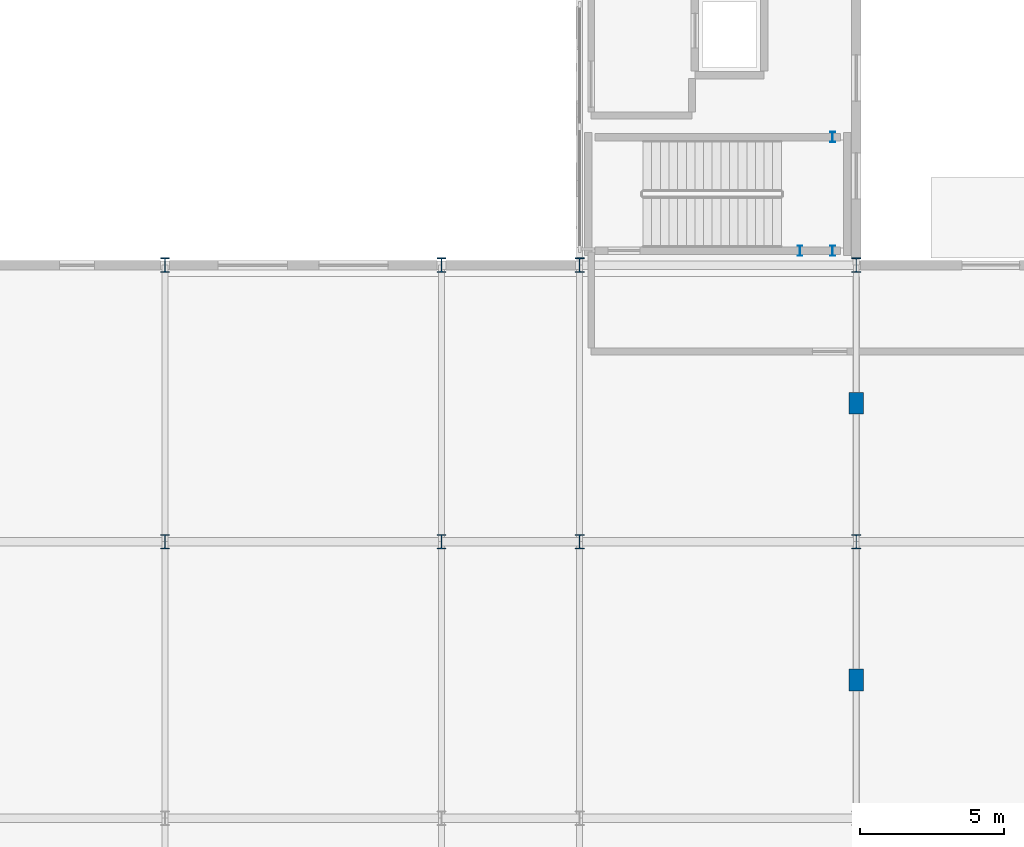
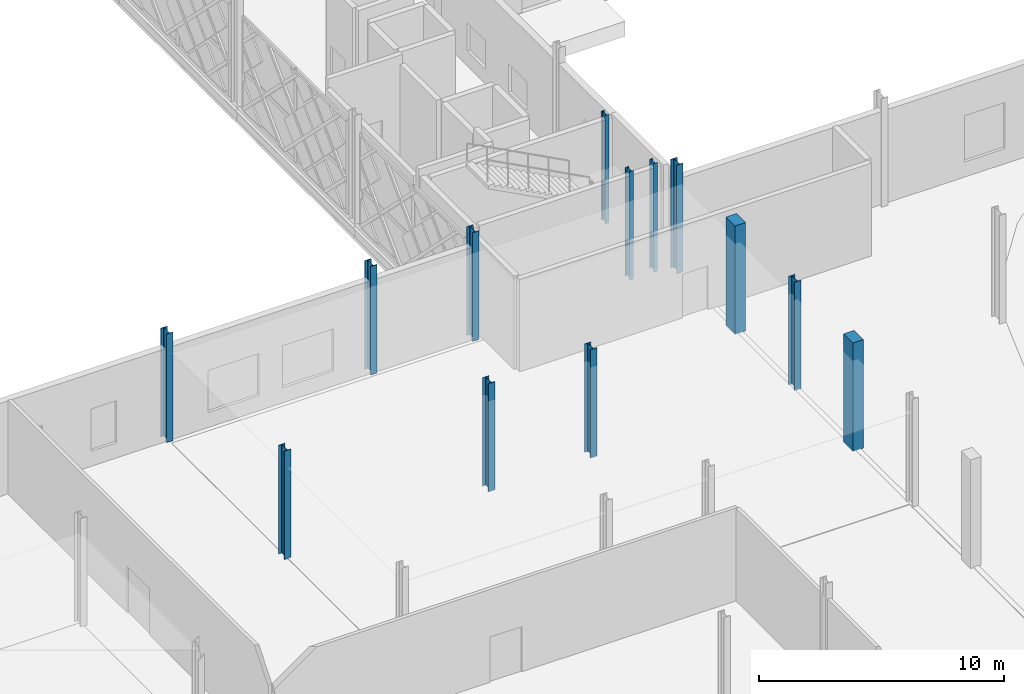
# One storey, part 9 of 84: 13 columns.
"""IFC4 building model written with IfcOpenShell, lengths in metres."""

from ifc_helpers import new_model, si_unit, direction, frame, origin, origin_2d, place, context, subcontext, project, spatial, rectangle, i_section, extrude, material, material_profile, profile_set, type_object, element, save


model = new_model("IFC4")

# Units and contexts
model_context = context("Model", 3, precision=1e-05, world=origin(), true_north=direction((0.0, 1.0)))
body_context = subcontext(model_context, "Body", "Model", "MODEL_VIEW")
ifc_project = project(units=[si_unit("LENGTHUNIT", "METRE"), si_unit("AREAUNIT", "SQUARE_METRE"), si_unit("VOLUMEUNIT", "CUBIC_METRE"), si_unit("PLANEANGLEUNIT", "RADIAN"), si_unit("MASSUNIT", "GRAM", prefix="KILO")], contexts=[model_context])

# Site, building, storey
site_placement = place(None, origin())
site = spatial("IfcSite", under=ifc_project, at=site_placement, CompositionType="ELEMENT")
building_placement = place(site_placement, origin())
building = spatial("IfcBuilding", under=site, at=building_placement, Name="Zevrakil Square Congress Hotel", CompositionType="ELEMENT")
storey_placement = place(building_placement, origin())
storey = spatial("IfcBuildingStorey", under=building, at=storey_placement, Name="L01", CompositionType="ELEMENT", Elevation=0.0)

# Columns
ifc_material_1 = material(Name="Steel S355", Category="steel")
ifc_material_profile_1 = material_profile(ifc_material_1, i_section(OverallWidth=0.300048828125, OverallDepth=0.5, WebThickness=0.014404296875, FlangeThickness=0.028076171875, FilletRadius=0.027099609375, at=origin_2d()), Name="HEB 500")
ifc_profile_set_1 = profile_set([ifc_material_profile_1], Name="Steel S355")
column_type_1 = type_object("IfcColumnType", Name="COL-HEB500", PredefinedType="COLUMN", material=ifc_profile_set_1)
for number, where, z_axis, x_axis, name in (
    (1, (93.60009765625, 36.0, 0.0), (0.0, 0.0, 1.0), (1.0, 0.0, 0.0), "L01 column C-141"),
    (2, (93.60009765625, 45.60009765625, 0.0), (0.0, 0.0, 1.0), (1.0, 0.0, 0.0), "L01 column C-142"),
    (3, (103.199951171875, 36.0, 0.0), (0.0, 0.0, 1.0), (1.0, 0.0, 0.0), "L01 column C-153"),
    (4, (103.199951171875, 45.60009765625, 0.0), (0.0, 0.0, 1.0), (1.0, 0.0, 0.0), "L01 column C-154"),
    (5, (108.0, 36.0, 0.0), (0.0, 0.0, 1.0), (1.0, 0.0, 0.0), "L01 column C-167"),
    (6, (108.0, 45.60009765625, 0.0), (0.0, 0.0, 1.0), (1.0, 0.0, 0.0), "L01 column C-168"),
    (7, (117.60009765625, 36.0, 0.0), (0.0, 0.0, 1.0), (1.0, 0.0, 0.0), "L01 column C-184"),
    (8, (117.60009765625, 45.60009765625, 0.0), (0.0, 0.0, 1.0), (1.0, 0.0, 0.0), "L01 column C-186"),
):
    element("IfcColumn", number, at=place(storey_placement, frame(where, z_axis=z_axis, x_axis=x_axis)), inside=storey, type_object=column_type_1, Name=name, PredefinedType="COLUMN", context=body_context, shape_type="SweptSolid", body=[
        extrude(i_section(OverallWidth=0.300048828125, OverallDepth=0.5, WebThickness=0.014404296875, FlangeThickness=0.028076171875, FilletRadius=0.027099609375, at=origin_2d()), origin(), (0.0, 0.0, 1.0), 5.39990234375),
    ])
ifc_material_2 = material(Name="Concrete C40/50", Category="concrete")
ifc_material_profile_2 = material_profile(ifc_material_2, rectangle(XDim=0.5, YDim=0.75, at=origin_2d()), Name="RC 500x750")
ifc_profile_set_2 = profile_set([ifc_material_profile_2], Name="Concrete C40/50")
column_type_2 = type_object("IfcColumnType", Name="COL-PILASTER-RC500x750", PredefinedType="PILASTER", material=ifc_profile_set_2)
for number, where, z_axis, x_axis, name in (
    (9, (117.60009765625, 31.199951171875, 0.0), (0.0, 0.0, 1.0), (1.0, 0.0, 0.0), "L01 pilaster PL-07"),
    (10, (117.60009765625, 40.800048828125, 0.0), (0.0, 0.0, 1.0), (1.0, 0.0, 0.0), "L01 pilaster PL-08"),
):
    element("IfcColumn", number, at=place(storey_placement, frame(where, z_axis=z_axis, x_axis=x_axis)), inside=storey, type_object=column_type_2, Name=name, PredefinedType="PILASTER", context=body_context, shape_type="SweptSolid", body=[
        extrude(rectangle(XDim=0.5, YDim=0.75, at=origin_2d()), origin(), (0.0, 0.0, 1.0), 5.39990234375),
    ])
ifc_material_3 = material(Name="Steel S355", Category="steel")
ifc_material_profile_3 = material_profile(ifc_material_3, i_section(OverallWidth=0.169921875, OverallDepth=0.360107421875, WebThickness=0.008056640625, FlangeThickness=0.0126953125, FilletRadius=0.01806640625, at=origin_2d()), Name="IPE 360")
ifc_profile_set_3 = profile_set([ifc_material_profile_3], Name="Steel S355")
column_type_3 = type_object("IfcColumnType", Name="COL-PILASTER-SHS180", PredefinedType="PILASTER", material=ifc_profile_set_3)
for number, where, z_axis, x_axis, name in (
    (11, (115.64990234375, 46.10009765625, 0.0), (0.0, 0.0, 1.0), (1.0, 0.0, 0.0), "L01 ST07 stair shaft post 1"),
    (12, (116.780029296875, 46.10009765625, 0.0), (0.0, 0.0, 1.0), (1.0, 0.0, 0.0), "L01 ST07 stair shaft post 2"),
    (13, (116.780029296875, 50.050048828125, 0.0), (0.0, 0.0, 1.0), (1.0, 0.0, 0.0), "L01 ST07 stair shaft post 3"),
):
    element("IfcColumn", number, at=place(storey_placement, frame(where, z_axis=z_axis, x_axis=x_axis)), inside=storey, type_object=column_type_3, Name=name, PredefinedType="PILASTER", context=body_context, shape_type="SweptSolid", body=[
        extrude(i_section(OverallWidth=0.169921875, OverallDepth=0.360107421875, WebThickness=0.008056640625, FlangeThickness=0.0126953125, FilletRadius=0.01806640625, at=origin_2d()), origin(), (0.0, 0.0, 1.0), 5.39990234375),
    ])

save(model, "model.ifc")
